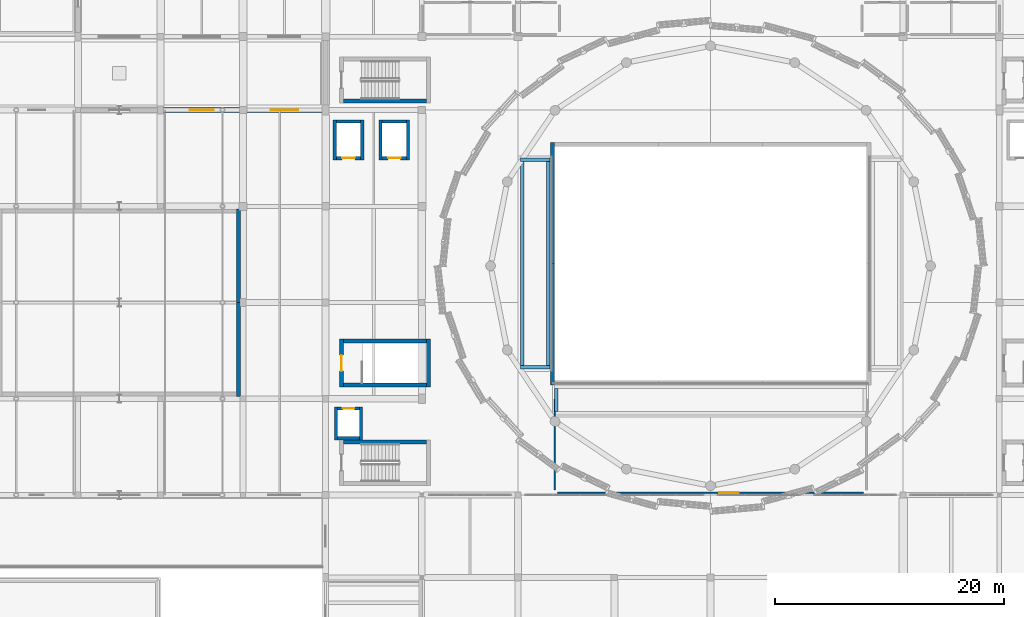
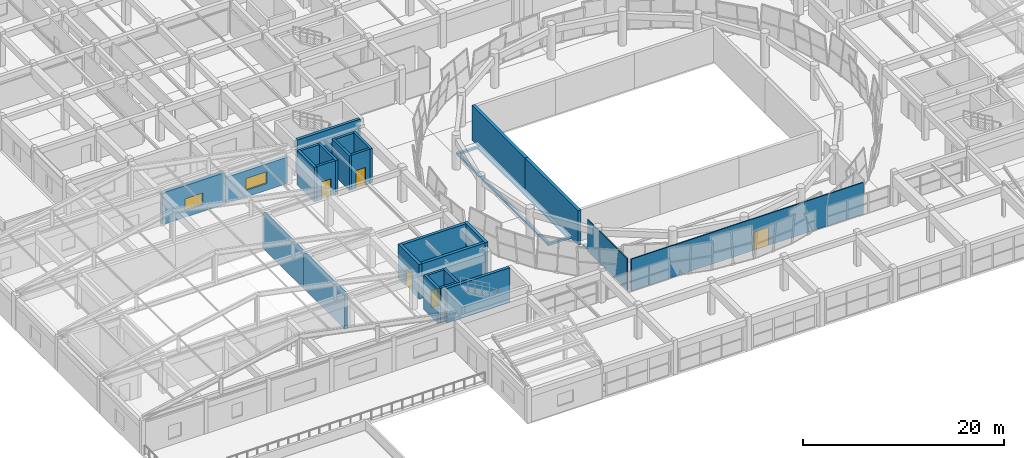
# One storey, part 55 of 74: 31 walls, 5 doors, 2 windows, 7 openings.
"""IFC4 building model written with IfcOpenShell, lengths in metres."""

import ifcopenshell
import ifcopenshell.guid

model = None  # the IFC model being written
_history = None  # IfcOwnerHistory: only IFC2X3 demands one
_inside = {}  # id of a spatial element -> (the spatial element, [elements in it])
_under = {}  # id of a project, library or spatial element -> (it, [spatial elements below it])
_declared = {}  # id of a project -> (the project, [libraries it declares])
_typed = {}  # id of a type object -> (the type object, [elements of that type])
_made_of = {}  # id of a material, layer set ... -> (it, [elements and type objects made of it])


def new_model(schema):
    """Start an empty IFC model of exactly this schema.

    Asked for "IFC4X3", IfcOpenShell would pick the latest addendum, in which some entities
    have other attributes; the version numbers below select the first issue.
    IFC2X3 requires an IfcOwnerHistory on every rooted entity: one is made here for all.
    """
    global model, _history
    if schema == "IFC4X3":
        model = ifcopenshell.file(schema_version=(4, 3, 0, 0))
    else:
        model = ifcopenshell.file(schema=schema)
    _inside.clear()
    _under.clear()
    _declared.clear()
    _typed.clear()
    _made_of.clear()
    _history = None
    if model.schema == "IFC2X3":
        org = make("IfcOrganization", Name="unknown")
        user = make(
            "IfcPersonAndOrganization",
            ThePerson=make("IfcPerson", FamilyName="unknown"),
            TheOrganization=org,
        )
        app = make(
            "IfcApplication",
            ApplicationDeveloper=org,
            Version="unknown",
            ApplicationFullName="unknown",
            ApplicationIdentifier="unknown",
        )
        _history = make(
            "IfcOwnerHistory",
            OwningUser=user,
            OwningApplication=app,
            ChangeAction="ADDED",
            CreationDate=0,
        )
    return model


def make(cls, **values):
    """One entity of the class cls with the attributes given. An attribute that is None is left unset."""
    return model.create_entity(
        cls, **{name: value for name, value in values.items() if value is not None}
    )


def rooted(cls, **values):
    """An entity with a GlobalId (a new one), such as an element, a storey or a relation."""
    return make(cls, GlobalId=ifcopenshell.guid.new(), OwnerHistory=_history, **values)


def si_unit(unit_type, name, prefix=None):
    """IfcSIUnit, for example si_unit("LENGTHUNIT", "METRE", prefix="MILLI")."""
    return make("IfcSIUnit", UnitType=unit_type, Prefix=prefix, Name=name)


def assignment(units):
    """IfcUnitAssignment: the units of a project."""
    return None if units is None else make("IfcUnitAssignment", Units=units)


def point(xyz):
    """IfcCartesianPoint."""
    return None if xyz is None else make("IfcCartesianPoint", Coordinates=xyz)


def direction(xyz):
    """IfcDirection."""
    return None if xyz is None else make("IfcDirection", DirectionRatios=xyz)


def frame(location, z_axis=None, x_axis=None):
    """IfcAxis2Placement3D, a coordinate frame: its origin and axes. An axis left out is left unset."""
    return make(
        "IfcAxis2Placement3D",
        Location=point(location),
        Axis=direction(z_axis),
        RefDirection=direction(x_axis),
    )


def frame_2d(location, x_axis=None):
    """IfcAxis2Placement2D, a coordinate frame in the plane: its origin and x axis."""
    return make(
        "IfcAxis2Placement2D", Location=point(location), RefDirection=direction(x_axis)
    )


def origin():
    """The frame at (0, 0, 0) with its axes left unset."""
    return frame((0.0, 0.0, 0.0))


def place(relative_to, where):
    """IfcLocalPlacement: puts the frame where relative to a parent placement (None: the world)."""
    return make(
        "IfcLocalPlacement", PlacementRelTo=relative_to, RelativePlacement=where
    )


def context(
    kind, dimensions, precision=None, world=None, true_north=None, identifier=None
):
    """IfcGeometricRepresentationContext, for example the 3D "Model" context."""
    return make(
        "IfcGeometricRepresentationContext",
        ContextIdentifier=identifier,
        ContextType=kind,
        CoordinateSpaceDimension=dimensions,
        Precision=precision,
        WorldCoordinateSystem=world,
        TrueNorth=true_north,
    )


def subcontext(parent, identifier, kind, view, scale=None):
    """IfcGeometricRepresentationSubContext, for example "Body" below "Model"."""
    return make(
        "IfcGeometricRepresentationSubContext",
        ContextIdentifier=identifier,
        ContextType=kind,
        ParentContext=parent,
        TargetScale=scale,
        TargetView=view,
    )


def project(units=None, contexts=None):
    """IfcProject with its units and contexts."""
    return rooted(
        "IfcProject",
        Name="project",
        RepresentationContexts=contexts,
        UnitsInContext=assignment(units),
    )


def spatial(cls, under=None, at=None, **own):
    """A site, building, storey or space (cls), placed at a placement, below another one or the project."""
    s = rooted(cls, ObjectPlacement=at, **own)
    if under is not None:
        _under.setdefault(under.id(), (under, []))[1].append(s)
    return s


def profile(cls, at=None, kind="AREA", **sizes):
    """A parametric profile (cls). Its sizes go by their IFC names, for example OverallWidth=200.0."""
    return make(cls, ProfileType=kind, Position=at, **sizes)


def rectangle(**sizes):
    """IfcRectangleProfileDef."""
    return profile("IfcRectangleProfileDef", **sizes)


def extrude(swept, where, along, depth):
    """IfcExtrudedAreaSolid: the profile swept, set in the frame where, extruded along a direction by depth."""
    return make(
        "IfcExtrudedAreaSolid",
        SweptArea=swept,
        Position=where,
        ExtrudedDirection=direction(along),
        Depth=depth,
    )


def shape(context_of_items, identifier, shape_type, items):
    """IfcShapeRepresentation: the items that make up one representation, for example the "Body"."""
    return make(
        "IfcShapeRepresentation",
        ContextOfItems=context_of_items,
        RepresentationIdentifier=identifier,
        RepresentationType=shape_type,
        Items=items,
    )


def material(Name=None, Category=None):
    """IfcMaterial."""
    return make("IfcMaterial", Name=Name, Category=Category)


def layer(
    of_material, thickness, ventilated=None, Name=None, Category=None, Priority=None
):
    """IfcMaterialLayer: one layer of a wall or slab, of a material (None: an air gap)."""
    return make(
        "IfcMaterialLayer",
        Material=of_material,
        LayerThickness=thickness,
        IsVentilated=ventilated,
        Name=Name,
        Category=Category,
        Priority=Priority,
    )


def layer_set(layers, Name=None):
    """IfcMaterialLayerSet."""
    return make("IfcMaterialLayerSet", MaterialLayers=layers, LayerSetName=Name)


def made_of(thing, what):
    """Note that an element or type object is made of a material, layer set ...; save() writes the relation."""
    if what is not None:
        _made_of.setdefault(what.id(), (what, []))[1].append(thing)
    return thing


def type_object(cls, material=None, **own):
    """A type object (cls), such as IfcWallType, which elements share."""
    return made_of(rooted(cls, **own), material)


def element(
    cls,
    number,
    at=None,
    inside=None,
    cuts=None,
    type_object=None,
    material=None,
    context=None,
    identifier="Body",
    shape_type=None,
    held_by="IfcProductDefinitionShape",
    body=None,
    shapes=None,
    **own,
):
    """One element of the class cls, such as IfcWall. Its Tag is "e" and its number.

    at: its placement. inside: the storey or other place that contains it. cuts: it is an
    opening in that element (IfcRelVoidsElement). A single representation is given by context,
    identifier, shape_type and body (its items); several are given by shapes. held_by: the class
    of the entity that holds the representations. save() writes the other relations.
    """
    e = rooted(cls, Tag="e%d" % number, ObjectPlacement=at, **own)
    if body is not None:
        shapes = [shape(context, identifier, shape_type, body)]
    if shapes is not None:
        e.Representation = make(held_by, Representations=shapes)
    if inside is not None:
        _inside.setdefault(inside.id(), (inside, []))[1].append(e)
    if cuts is not None:
        rooted(
            "IfcRelVoidsElement", RelatingBuildingElement=cuts, RelatedOpeningElement=e
        )
    if type_object is not None:
        _typed.setdefault(type_object.id(), (type_object, []))[1].append(e)
    return made_of(e, material)


def fill(opening, filler):
    """IfcRelFillsElement: the door or window that sits in an opening."""
    return rooted(
        "IfcRelFillsElement",
        RelatingOpeningElement=opening,
        RelatedBuildingElement=filler,
    )


def aggregate(whole, parts):
    """IfcRelAggregates: a whole, such as a stair, and the parts it consists of."""
    return rooted("IfcRelAggregates", RelatingObject=whole, RelatedObjects=parts)


def save(model, path):
    """Write the relations noted so far, then the file.

    IfcRelAggregates (storeys below a building ...), IfcRelContainedInSpatialStructure (elements
    in a storey), IfcRelDefinesByType, IfcRelAssociatesMaterial and IfcRelDeclares: one each for
    every whole, place, type object, material and project.
    """
    for whole, parts in _under.values():
        aggregate(whole, parts)
    for where, things in _inside.values():
        rooted(
            "IfcRelContainedInSpatialStructure",
            RelatedElements=things,
            RelatingStructure=where,
        )
    for kind, things in _typed.values():
        rooted("IfcRelDefinesByType", RelatedObjects=things, RelatingType=kind)
    for what, things in _made_of.values():
        rooted("IfcRelAssociatesMaterial", RelatedObjects=things, RelatingMaterial=what)
    for by, libraries in _declared.values():
        rooted("IfcRelDeclares", RelatingContext=by, RelatedDefinitions=libraries)
    model.write(path)


model = new_model("IFC4")

# Units and contexts
model_context = context("Model", 3, precision=1e-05, world=origin(), true_north=direction((0.0, 1.0)))
body_context = subcontext(model_context, "Body", "Model", "MODEL_VIEW")
ifc_project = project(units=[si_unit("LENGTHUNIT", "METRE"), si_unit("AREAUNIT", "SQUARE_METRE"), si_unit("VOLUMEUNIT", "CUBIC_METRE"), si_unit("PLANEANGLEUNIT", "RADIAN"), si_unit("MASSUNIT", "GRAM", prefix="KILO")], contexts=[model_context])

# Site, building, storey
site_placement = place(None, origin())
site = spatial("IfcSite", under=ifc_project, at=site_placement, CompositionType="ELEMENT")
building_placement = place(site_placement, origin())
building = spatial("IfcBuilding", under=site, at=building_placement, Name="Korsvaeld Concert Hall", CompositionType="ELEMENT")
storey_placement = place(building_placement, frame((0.0, 0.0, 9.0)))
storey = spatial("IfcBuildingStorey", under=building, at=storey_placement, Name="L02", CompositionType="ELEMENT", Elevation=9.0)

# Walls
ifc_material_1 = material(Name="Concrete C40/50", Category="concrete")
ifc_layer_1 = layer(ifc_material_1, 0.340087890625)
ifc_layer_set_1 = layer_set([ifc_layer_1], Name="Concrete C40/50")
wall_type_1 = type_object("IfcWallType", Name="WL-CORE-340", PredefinedType="SHEAR", material=ifc_layer_set_1)
for number, where, z_axis, x_axis, name in (
    (1, (51.969970703125, 77.60009765625, 0.0), (0.0, 0.0, 1.0), (1.0, 0.0, 0.0), "Core K1 shear wall L02 S"),
    (2, (59.22998046875, 47.840087890625, 0.0), (0.0, 0.0, 1.0), (-1.0, 0.0, 0.0), "Core K3 shear wall L02 N"),
    (3, (51.969970703125, 52.800048828125, 0.0), (0.0, 0.0, 1.0), (1.0, 0.0, 0.0), "Core F1 shear wall L02 S"),
):
    element("IfcWall", number, at=place(storey_placement, frame(where, z_axis=z_axis, x_axis=x_axis)), inside=storey, type_object=wall_type_1, Name=name, PredefinedType="SHEAR", context=body_context, shape_type="SweptSolid", body=[
        extrude(rectangle(XDim=7.260009765625, YDim=0.340087890625, at=frame_2d((3.6298828125, 0.0))), origin(), (0.0, 0.0, 1.0), 4.199951171875),
    ])
wall_1_placement = place(storey_placement, frame((59.39990234375, 52.6298828125, 0.0), z_axis=(0.0, 0.0, 1.0), x_axis=(0.0, 1.0, 0.0)))
element("IfcWall", 4, at=wall_1_placement, inside=storey, type_object=wall_type_1, Name="Core F1 shear wall L02 E", PredefinedType="SHEAR", context=body_context, shape_type="SweptSolid", body=[
    extrude(rectangle(XDim=4.18017578125, YDim=0.340087890625, at=frame_2d((2.090087890625, 0.0))), origin(), (0.0, 0.0, 1.0), 4.199951171875),
])
wall_2_placement = place(storey_placement, frame((59.22998046875, 56.639892578125, 0.0), z_axis=(0.0, 0.0, 1.0), x_axis=(-1.0, 0.0, 0.0)))
element("IfcWall", 5, at=wall_2_placement, inside=storey, type_object=wall_type_1, Name="Core F1 shear wall L02 N", PredefinedType="SHEAR", context=body_context, shape_type="SweptSolid", body=[
    extrude(rectangle(XDim=7.260009765625, YDim=0.340087890625, at=frame_2d((3.6298828125, 0.0))), origin(), (0.0, 0.0, 1.0), 4.199951171875),
])

# Wall, opening, door
wall_3_placement = place(storey_placement, frame((51.800048828125, 56.81005859375, 0.0), z_axis=(0.0, 0.0, 1.0), x_axis=(0.0, -1.0, 0.0)))
wall_3 = element("IfcWall", 6, at=wall_3_placement, inside=storey, type_object=wall_type_1, Name="Core F1 shear wall L02 W", PredefinedType="SHEAR", context=body_context, shape_type="SweptSolid", body=[
    extrude(rectangle(XDim=4.18017578125, YDim=0.340087890625, at=frame_2d((2.090087890625, 0.0))), origin(), (0.0, 0.0, 1.0), 4.199951171875),
])
opening_1_placement = place(wall_3_placement, frame((1.389892578125, 0.0, 0.0)))
opening_1 = element("IfcOpeningElement", 7, at=opening_1_placement, cuts=wall_3, Name="Opening FD-02", PredefinedType="OPENING", context=body_context, shape_type="SweptSolid", body=[
    extrude(rectangle(XDim=1.39990234375, YDim=2.14990234375, at=frame_2d((0.699951171875, 1.074951171875))), frame((0.0, 0.18017578125, 0.0), z_axis=(0.0, -1.0, 0.0), x_axis=(1.0, 0.0, 0.0)), (0.0, 0.0, 1.0), 0.360107421875),
])
ifc_material_2 = material(Name="Acoustic steel and oak fire door", Category="steel")
door_type_1 = type_object("IfcDoorType", Name="DR-FD-STAIR-140x215", OperationType="NOTDEFINED", PredefinedType="DOOR", material=ifc_material_2)
door_1_placement = place(opening_1_placement, origin())
door_1 = element("IfcDoor", 8, at=door_1_placement, inside=storey, type_object=door_type_1, Name="Escape stair ST-F1 fire door L02", OperationType="SINGLE_SWING_LEFT", OverallHeight=2.14990234375, OverallWidth=1.39990234375, PredefinedType="DOOR", context=body_context, shape_type="SweptSolid", body=[
    extrude(rectangle(XDim=1.39990234375, YDim=2.14990234375, at=frame_2d((0.699951171875, 1.074951171875))), frame((0.0, 0.02490234375, 0.0), z_axis=(0.0, -1.0, 0.0), x_axis=(1.0, 0.0, 0.0)), (0.0, 0.0, 1.0), 0.050048828125),
])
fill(opening_1, door_1)

# Wall, opening, window
ifc_material_3 = material(Name="Obernkirchener buff sandstone rainscreen on Concrete C35/45", Category="masonry")
ifc_layer_2 = layer(ifc_material_3, 0.389892578125)
ifc_layer_set_2 = layer_set([ifc_layer_2], Name="Obernkirchener buff sandstone rainscreen on Concrete C35/45")
wall_type_2 = type_object("IfcWallType", Name="WL-EXT-BUFF-390", PredefinedType="STANDARD", material=ifc_layer_set_2)
wall_4_placement = place(storey_placement, frame((43.199951171875, 76.800048828125, 0.0), z_axis=(0.0, 0.0, 1.0), x_axis=(1.0, 0.0, 0.0)))
wall_4 = element("IfcWall", 9, at=wall_4_placement, inside=storey, type_object=wall_type_2, Name="Exterior sandstone wall L02-228", PredefinedType="STANDARD", context=body_context, shape_type="SweptSolid", body=[
    extrude(rectangle(XDim=7.199951171875, YDim=0.389892578125, at=frame_2d((3.60009765625, 0.0))), origin(), (0.0, 0.0, 1.0), 3.18994140625),
])
opening_2_placement = place(wall_4_placement, frame((2.39990234375, 0.0, 0.800048828125)))
opening_2 = element("IfcOpeningElement", 10, at=opening_2_placement, cuts=wall_4, Name="Opening WN-10", PredefinedType="OPENING", context=body_context, shape_type="SweptSolid", body=[
    extrude(rectangle(XDim=2.39990234375, YDim=1.449951171875, at=frame_2d((1.199951171875, 0.72509765625))), frame((0.0, 0.205078125, 0.0), z_axis=(0.0, -1.0, 0.0), x_axis=(1.0, 0.0, 0.0)), (0.0, 0.0, 1.0), 0.409912109375),
])
ifc_material_4 = material(Name="Anodised bronze frame with acoustic triple glazing", Category="glass")
window_type_1 = type_object("IfcWindowType", Name="WIN-AC-240x145", PartitioningType="TRIPLE_PANEL_VERTICAL", PredefinedType="WINDOW", material=ifc_material_4)
window_1_placement = place(opening_2_placement, origin())
window_1 = element("IfcWindow", 11, at=window_1_placement, inside=storey, type_object=window_type_1, Name="Acoustic triple-glazed window L02-133", OverallHeight=1.449951171875, OverallWidth=2.39990234375, PartitioningType="TRIPLE_PANEL_VERTICAL", PredefinedType="WINDOW", context=body_context, shape_type="SweptSolid", body=[
    extrude(rectangle(XDim=2.39990234375, YDim=1.449951171875, at=frame_2d((1.199951171875, 0.72509765625))), frame((0.0, 0.030029296875, 0.0), z_axis=(0.0, -1.0, 0.0), x_axis=(1.0, 0.0, 0.0)), (0.0, 0.0, 1.0), 0.06005859375),
])
fill(opening_2, window_1)

ifc_material_5 = material(Name="Bornholm Nexo rose-red sandstone rainscreen on Concrete C35/45", Category="masonry")
ifc_layer_3 = layer(ifc_material_5, 0.419921875)
ifc_layer_set_3 = layer_set([ifc_layer_3], Name="Bornholm Nexo rose-red sandstone rainscreen on Concrete C35/45")
wall_type_3 = type_object("IfcWallType", Name="WL-EXT-NEXO-420", PredefinedType="STANDARD", material=ifc_layer_set_3)
wall_5_placement = place(storey_placement, frame((36.0, 76.800048828125, 0.0), z_axis=(0.0, 0.0, 1.0), x_axis=(1.0, 0.0, 0.0)))
wall_5 = element("IfcWall", 12, at=wall_5_placement, inside=storey, type_object=wall_type_3, Name="Exterior sandstone wall L02-227", PredefinedType="STANDARD", context=body_context, shape_type="SweptSolid", body=[
    extrude(rectangle(XDim=7.199951171875, YDim=0.419921875, at=frame_2d((3.60009765625, 0.0))), origin(), (0.0, 0.0, 1.0), 3.840087890625),
])
opening_3_placement = place(wall_5_placement, frame((2.550048828125, 0.0, 0.800048828125)))
opening_3 = element("IfcOpeningElement", 13, at=opening_3_placement, cuts=wall_5, Name="Opening WN-09", PredefinedType="OPENING", context=body_context, shape_type="SweptSolid", body=[
    extrude(rectangle(XDim=2.10009765625, YDim=1.449951171875, at=frame_2d((1.050048828125, 0.72509765625))), frame((0.0, 0.219970703125, 0.0), z_axis=(0.0, -1.0, 0.0), x_axis=(1.0, 0.0, 0.0)), (0.0, 0.0, 1.0), 0.43994140625),
])
window_type_2 = type_object("IfcWindowType", Name="WIN-AC-210x145", PartitioningType="SINGLE_PANEL", PredefinedType="WINDOW", material=ifc_material_4)
window_2_placement = place(opening_3_placement, origin())
window_2 = element("IfcWindow", 14, at=window_2_placement, inside=storey, type_object=window_type_2, Name="Acoustic triple-glazed window L02-132", OverallHeight=1.449951171875, OverallWidth=2.10009765625, PartitioningType="SINGLE_PANEL", PredefinedType="WINDOW", context=body_context, shape_type="SweptSolid", body=[
    extrude(rectangle(XDim=2.10009765625, YDim=1.449951171875, at=frame_2d((1.050048828125, 0.72509765625))), frame((0.0, 0.030029296875, 0.0), z_axis=(0.0, -1.0, 0.0), x_axis=(1.0, 0.0, 0.0)), (0.0, 0.0, 1.0), 0.06005859375),
])
fill(opening_3, window_2)

# Walls
ifc_material_6 = material(Name="Bornholm Nexo crimson sandstone on Concrete C40/50", Category="masonry")
ifc_layer_4 = layer(ifc_material_6, 0.360107421875)
ifc_layer_set_4 = layer_set([ifc_layer_4], Name="Bornholm Nexo crimson sandstone on Concrete C40/50")
wall_type_4 = type_object("IfcWallType", Name="WL-HALL-360", PredefinedType="SHEAR", material=ifc_layer_set_4)
wall_6_placement = place(storey_placement, frame((70.199951171875, 73.97998046875, 0.0), z_axis=(0.0, 0.0, 1.0), x_axis=(0.0, -1.0, 0.0)))
element("IfcWall", 15, at=wall_6_placement, inside=storey, type_object=wall_type_4, Name="Acoustic hall box wall V1H L02 W.1", PredefinedType="SHEAR", context=body_context, shape_type="SweptSolid", body=[
    extrude(rectangle(XDim=10.580078125, YDim=0.360107421875, at=frame_2d((5.2900390625, 0.0))), origin(), (0.0, 0.0, 1.0), 4.199951171875),
])
wall_7_placement = place(storey_placement, frame((70.199951171875, 63.39990234375, 0.0), z_axis=(0.0, 0.0, 1.0), x_axis=(0.0, -1.0, 0.0)))
element("IfcWall", 16, at=wall_7_placement, inside=storey, type_object=wall_type_4, Name="Acoustic hall box wall V1H L02 W.2", PredefinedType="SHEAR", context=body_context, shape_type="SweptSolid", body=[
    extrude(rectangle(XDim=10.579833984375, YDim=0.360107421875, at=frame_2d((5.2900390625, 0.0))), origin(), (0.0, 0.0, 1.0), 4.199951171875),
])
for number, where, z_axis, x_axis, name in (
    (17, (42.800048828125, 51.820068359375, 0.0), (0.0, 0.0, 1.0), (0.0, 1.0, 0.0), "Acoustic hall box wall V3H L02 E.1"),
    (18, (42.800048828125, 60.0, 0.0), (0.0, 0.0, 1.0), (0.0, 1.0, 0.0), "Acoustic hall box wall V3H L02 E.2"),
):
    element("IfcWall", number, at=place(storey_placement, frame(where, z_axis=z_axis, x_axis=x_axis)), inside=storey, type_object=wall_type_4, Name=name, PredefinedType="SHEAR", context=body_context, shape_type="SweptSolid", body=[
        extrude(rectangle(XDim=8.179931640625, YDim=0.360107421875, at=frame_2d((4.08984375, 0.0))), origin(), (0.0, 0.0, 1.0), 4.199951171875),
    ])

# Wall, opening, door
ifc_material_7 = material(Name="Insulated acoustic gypsum partition")
ifc_layer_5 = layer(ifc_material_7, 0.125)
ifc_layer_set_5 = layer_set([ifc_layer_5], Name="Insulated acoustic gypsum partition")
wall_type_5 = type_object("IfcWallType", Name="WL-PART-125", PredefinedType="PARTITIONING", material=ifc_layer_set_5)
wall_8_placement = place(storey_placement, frame((70.659912109375, 43.39990234375, 0.0), z_axis=(0.0, 0.0, 1.0), x_axis=(1.0, 0.0, 0.0)))
wall_8 = element("IfcWall", 19, at=wall_8_placement, inside=storey, type_object=wall_type_5, Name="Interior partition L02-04 S", PredefinedType="PARTITIONING", context=body_context, shape_type="SweptSolid", body=[
    extrude(rectangle(XDim=26.68017578125, YDim=0.125, at=frame_2d((13.340087890625, 0.0))), origin(), (0.0, 0.0, 1.0), 3.840087890625),
])
opening_4_placement = place(wall_8_placement, frame((14.090087890625, 0.0, 0.0)))
opening_4 = element("IfcOpeningElement", 20, at=opening_4_placement, cuts=wall_8, Name="Opening ID-06", PredefinedType="OPENING", context=body_context, shape_type="SweptSolid", body=[
    extrude(rectangle(XDim=1.699951171875, YDim=2.199951171875, at=frame_2d((0.85009765625, 1.10009765625))), frame((0.0, 0.072509765625, 0.0), z_axis=(0.0, -1.0, 0.0), x_axis=(1.0, 0.0, 0.0)), (0.0, 0.0, 1.0), 0.14501953125),
])
ifc_material_8 = material(Name="Glazed oak foyer double door")
door_type_2 = type_object("IfcDoorType", Name="DR-INT-DBL-170x220", OperationType="DOUBLE_DOOR_SINGLE_SWING", PredefinedType="DOOR", material=ifc_material_8)
door_2_placement = place(opening_4_placement, origin())
door_2 = element("IfcDoor", 21, at=door_2_placement, inside=storey, type_object=door_type_2, Name="Panorama Interval Bar door L02-04", OperationType="DOUBLE_DOOR_SINGLE_SWING", OverallHeight=2.199951171875, OverallWidth=1.699951171875, PredefinedType="DOOR", context=body_context, shape_type="SweptSolid", body=[
    extrude(rectangle(XDim=1.699951171875, YDim=2.199951171875, at=frame_2d((0.85009765625, 1.10009765625))), frame((0.0, 0.02490234375, 0.0), z_axis=(0.0, -1.0, 0.0), x_axis=(1.0, 0.0, 0.0)), (0.0, 0.0, 1.0), 0.050048828125),
])
fill(opening_4, door_2)

# Wall
wall_9_placement = place(storey_placement, frame((70.39990234375, 51.5400390625, 0.0), z_axis=(0.0, 0.0, 1.0), x_axis=(0.0, -1.0, 0.0)))
element("IfcWall", 22, at=wall_9_placement, inside=storey, type_object=wall_type_5, Name="Interior partition L02-04 W", PredefinedType="PARTITIONING", context=body_context, shape_type="SweptSolid", body=[
    extrude(rectangle(XDim=7.880126953125, YDim=0.125, at=frame_2d((3.93994140625, 0.0))), origin(), (0.0, 0.0, 1.0), 3.840087890625),
])

# Wall, opening, door
ifc_layer_6 = layer(ifc_material_1, 0.280029296875)
ifc_layer_set_6 = layer_set([ifc_layer_6], Name="Concrete C40/50")
wall_type_6 = type_object("IfcWallType", Name="WL-SHAFT-280", PredefinedType="SHEAR", material=ifc_layer_set_6)
wall_10_placement = place(storey_placement, frame((51.340087890625, 72.60009765625, 0.0), z_axis=(0.0, 0.0, 1.0), x_axis=(1.0, 0.0, 0.0)))
wall_10 = element("IfcWall", 23, at=wall_10_placement, inside=storey, type_object=wall_type_6, Name="Lift LP-01 shaft wall L02 S", PredefinedType="SHEAR", context=body_context, shape_type="SweptSolid", body=[
    extrude(rectangle(XDim=2.119873046875, YDim=0.280029296875, at=frame_2d((1.06005859375, 0.0))), origin(), (0.0, 0.0, 1.0), 4.199951171875),
])
opening_5_placement = place(wall_10_placement, frame((0.510009765625, 0.0, 0.0)))
opening_5 = element("IfcOpeningElement", 24, at=opening_5_placement, cuts=wall_10, Name="Opening LD-01", PredefinedType="OPENING", context=body_context, shape_type="SweptSolid", body=[
    extrude(rectangle(XDim=1.10009765625, YDim=2.14990234375, at=frame_2d((0.550048828125, 1.074951171875))), frame((0.0, 0.14990234375, 0.0), z_axis=(0.0, -1.0, 0.0), x_axis=(1.0, 0.0, 0.0)), (0.0, 0.0, 1.0), 0.300048828125),
])
ifc_material_9 = material(Name="Brushed bronze-stainless sliding lift landing door")
door_type_3 = type_object("IfcDoorType", Name="DR-LD-PASS-110x215", OperationType="NOTDEFINED", PredefinedType="DOOR", material=ifc_material_9)
door_3_placement = place(opening_5_placement, origin())
door_3 = element("IfcDoor", 25, at=door_3_placement, inside=storey, type_object=door_type_3, Name="Lift landing door LP-01 L02", OperationType="SLIDING_TO_LEFT", OverallHeight=2.14990234375, OverallWidth=1.10009765625, PredefinedType="DOOR", context=body_context, shape_type="SweptSolid", body=[
    extrude(rectangle(XDim=1.10009765625, YDim=2.14990234375, at=frame_2d((0.550048828125, 1.074951171875))), frame((0.0, 0.02490234375, 0.0), z_axis=(0.0, -1.0, 0.0), x_axis=(1.0, 0.0, 0.0)), (0.0, 0.0, 1.0), 0.050048828125),
])
fill(opening_5, door_3)

# Walls
wall_11_placement = place(storey_placement, frame((53.60009765625, 72.4599609375, 0.0), z_axis=(0.0, 0.0, 1.0), x_axis=(0.0, 1.0, 0.0)))
element("IfcWall", 26, at=wall_11_placement, inside=storey, type_object=wall_type_6, Name="Lift LP-01 shaft wall L02 E", PredefinedType="SHEAR", context=body_context, shape_type="SweptSolid", body=[
    extrude(rectangle(XDim=3.47998046875, YDim=0.280029296875, at=frame_2d((1.739990234375, 0.0))), origin(), (0.0, 0.0, 1.0), 4.199951171875),
])
wall_12_placement = place(storey_placement, frame((53.4599609375, 75.800048828125, 0.0), z_axis=(0.0, 0.0, 1.0), x_axis=(-1.0, 0.0, 0.0)))
element("IfcWall", 27, at=wall_12_placement, inside=storey, type_object=wall_type_6, Name="Lift LP-01 shaft wall L02 N", PredefinedType="SHEAR", context=body_context, shape_type="SweptSolid", body=[
    extrude(rectangle(XDim=2.119873046875, YDim=0.280029296875, at=frame_2d((1.06005859375, 0.0))), origin(), (0.0, 0.0, 1.0), 4.199951171875),
])
wall_13_placement = place(storey_placement, frame((51.199951171875, 75.93994140625, 0.0), z_axis=(0.0, 0.0, 1.0), x_axis=(0.0, -1.0, 0.0)))
element("IfcWall", 28, at=wall_13_placement, inside=storey, type_object=wall_type_6, Name="Lift LP-01 shaft wall L02 W", PredefinedType="SHEAR", context=body_context, shape_type="SweptSolid", body=[
    extrude(rectangle(XDim=3.47998046875, YDim=0.280029296875, at=frame_2d((1.739990234375, 0.0))), origin(), (0.0, 0.0, 1.0), 4.199951171875),
])

# Wall, opening, door
wall_14_placement = place(storey_placement, frame((55.340087890625, 72.60009765625, 0.0), z_axis=(0.0, 0.0, 1.0), x_axis=(1.0, 0.0, 0.0)))
wall_14 = element("IfcWall", 29, at=wall_14_placement, inside=storey, type_object=wall_type_6, Name="Lift LP-02 shaft wall L02 S", PredefinedType="SHEAR", context=body_context, shape_type="SweptSolid", body=[
    extrude(rectangle(XDim=2.119873046875, YDim=0.280029296875, at=frame_2d((1.06005859375, 0.0))), origin(), (0.0, 0.0, 1.0), 4.199951171875),
])
opening_6_placement = place(wall_14_placement, frame((0.510009765625, 0.0, 0.0)))
opening_6 = element("IfcOpeningElement", 30, at=opening_6_placement, cuts=wall_14, Name="Opening LD-01", PredefinedType="OPENING", context=body_context, shape_type="SweptSolid", body=[
    extrude(rectangle(XDim=1.10009765625, YDim=2.14990234375, at=frame_2d((0.550048828125, 1.074951171875))), frame((0.0, 0.14990234375, 0.0), z_axis=(0.0, -1.0, 0.0), x_axis=(1.0, 0.0, 0.0)), (0.0, 0.0, 1.0), 0.300048828125),
])
door_4_placement = place(opening_6_placement, origin())
door_4 = element("IfcDoor", 31, at=door_4_placement, inside=storey, type_object=door_type_3, Name="Lift landing door LP-02 L02", OperationType="SLIDING_TO_RIGHT", OverallHeight=2.14990234375, OverallWidth=1.10009765625, PredefinedType="DOOR", context=body_context, shape_type="SweptSolid", body=[
    extrude(rectangle(XDim=1.10009765625, YDim=2.14990234375, at=frame_2d((0.550048828125, 1.074951171875))), frame((0.0, 0.02490234375, 0.0), z_axis=(0.0, -1.0, 0.0), x_axis=(1.0, 0.0, 0.0)), (0.0, 0.0, 1.0), 0.050048828125),
])
fill(opening_6, door_4)

# Walls
wall_15_placement = place(storey_placement, frame((57.60009765625, 72.4599609375, 0.0), z_axis=(0.0, 0.0, 1.0), x_axis=(0.0, 1.0, 0.0)))
element("IfcWall", 32, at=wall_15_placement, inside=storey, type_object=wall_type_6, Name="Lift LP-02 shaft wall L02 E", PredefinedType="SHEAR", context=body_context, shape_type="SweptSolid", body=[
    extrude(rectangle(XDim=3.47998046875, YDim=0.280029296875, at=frame_2d((1.739990234375, 0.0))), origin(), (0.0, 0.0, 1.0), 4.199951171875),
])
wall_16_placement = place(storey_placement, frame((57.4599609375, 75.800048828125, 0.0), z_axis=(0.0, 0.0, 1.0), x_axis=(-1.0, 0.0, 0.0)))
element("IfcWall", 33, at=wall_16_placement, inside=storey, type_object=wall_type_6, Name="Lift LP-02 shaft wall L02 N", PredefinedType="SHEAR", context=body_context, shape_type="SweptSolid", body=[
    extrude(rectangle(XDim=2.119873046875, YDim=0.280029296875, at=frame_2d((1.06005859375, 0.0))), origin(), (0.0, 0.0, 1.0), 4.199951171875),
])
wall_17_placement = place(storey_placement, frame((55.199951171875, 75.93994140625, 0.0), z_axis=(0.0, 0.0, 1.0), x_axis=(0.0, -1.0, 0.0)))
element("IfcWall", 34, at=wall_17_placement, inside=storey, type_object=wall_type_6, Name="Lift LP-02 shaft wall L02 W", PredefinedType="SHEAR", context=body_context, shape_type="SweptSolid", body=[
    extrude(rectangle(XDim=3.47998046875, YDim=0.280029296875, at=frame_2d((1.739990234375, 0.0))), origin(), (0.0, 0.0, 1.0), 4.199951171875),
])
wall_18_placement = place(storey_placement, frame((51.43994140625, 48.14990234375, 0.0), z_axis=(0.0, 0.0, 1.0), x_axis=(1.0, 0.0, 0.0)))
element("IfcWall", 35, at=wall_18_placement, inside=storey, type_object=wall_type_6, Name="Lift LP-05 shaft wall L02 S", PredefinedType="SHEAR", context=body_context, shape_type="SweptSolid", body=[
    extrude(rectangle(XDim=1.920166015625, YDim=0.280029296875, at=frame_2d((0.9599609375, 0.0))), origin(), (0.0, 0.0, 1.0), 4.199951171875),
])
wall_19_placement = place(storey_placement, frame((53.5, 48.010009765625, 0.0), z_axis=(0.0, 0.0, 1.0), x_axis=(0.0, 1.0, 0.0)))
element("IfcWall", 36, at=wall_19_placement, inside=storey, type_object=wall_type_6, Name="Lift LP-05 shaft wall L02 E", PredefinedType="SHEAR", context=body_context, shape_type="SweptSolid", body=[
    extrude(rectangle(XDim=2.8798828125, YDim=0.280029296875, at=frame_2d((1.43994140625, 0.0))), origin(), (0.0, 0.0, 1.0), 4.199951171875),
])

# Wall, opening, door
wall_20_placement = place(storey_placement, frame((53.360107421875, 50.75, 0.0), z_axis=(0.0, 0.0, 1.0), x_axis=(-1.0, 0.0, 0.0)))
wall_20 = element("IfcWall", 37, at=wall_20_placement, inside=storey, type_object=wall_type_6, Name="Lift LP-05 shaft wall L02 N", PredefinedType="SHEAR", context=body_context, shape_type="SweptSolid", body=[
    extrude(rectangle(XDim=1.920166015625, YDim=0.280029296875, at=frame_2d((0.9599609375, 0.0))), origin(), (0.0, 0.0, 1.0), 4.199951171875),
])
opening_7_placement = place(wall_20_placement, frame((0.4599609375, 0.0, 0.0)))
opening_7 = element("IfcOpeningElement", 38, at=opening_7_placement, cuts=wall_20, Name="Opening LD-02", PredefinedType="OPENING", context=body_context, shape_type="SweptSolid", body=[
    extrude(rectangle(XDim=1.0, YDim=2.14990234375, at=frame_2d((0.5, 1.074951171875))), frame((0.0, 0.14990234375, 0.0), z_axis=(0.0, -1.0, 0.0), x_axis=(1.0, 0.0, 0.0)), (0.0, 0.0, 1.0), 0.300048828125),
])
door_type_4 = type_object("IfcDoorType", Name="DR-LD-PASS-100x215", OperationType="NOTDEFINED", PredefinedType="DOOR", material=ifc_material_9)
door_5_placement = place(opening_7_placement, origin())
door_5 = element("IfcDoor", 39, at=door_5_placement, inside=storey, type_object=door_type_4, Name="Lift landing door LP-05 L02", OperationType="SLIDING_TO_LEFT", OverallHeight=2.14990234375, OverallWidth=1.0, PredefinedType="DOOR", context=body_context, shape_type="SweptSolid", body=[
    extrude(rectangle(XDim=1.0, YDim=2.14990234375, at=frame_2d((0.5, 1.074951171875))), frame((0.0, 0.02490234375, 0.0), z_axis=(0.0, -1.0, 0.0), x_axis=(1.0, 0.0, 0.0)), (0.0, 0.0, 1.0), 0.050048828125),
])
fill(opening_7, door_5)

# Walls
wall_21_placement = place(storey_placement, frame((51.300048828125, 50.889892578125, 0.0), z_axis=(0.0, 0.0, 1.0), x_axis=(0.0, -1.0, 0.0)))
element("IfcWall", 40, at=wall_21_placement, inside=storey, type_object=wall_type_6, Name="Lift LP-05 shaft wall L02 W", PredefinedType="SHEAR", context=body_context, shape_type="SweptSolid", body=[
    extrude(rectangle(XDim=2.8798828125, YDim=0.280029296875, at=frame_2d((1.43994140625, 0.0))), origin(), (0.0, 0.0, 1.0), 4.199951171875),
])
ifc_layer_7 = layer(ifc_material_1, 0.300048828125)
ifc_layer_set_7 = layer_set([ifc_layer_7], Name="Concrete C40/50")
wall_type_7 = type_object("IfcWallType", Name="WL-TIER-300", PredefinedType="SHEAR", material=ifc_layer_set_7)
for number, where, z_axis, x_axis, name in (
    (41, (67.39990234375, 54.35009765625, 0.0), (0.0, 0.0, 1.0), (1.0, 0.0, 0.0), "Seating tier front riser wall V1-CIRC2-W"),
    (42, (67.39990234375, 72.449951171875, 0.0), (0.0, 0.0, 1.0), (1.0, 0.0, 0.0), "Seating tier back riser wall V1-CIRC2-W"),
):
    element("IfcWall", number, at=place(storey_placement, frame(where, z_axis=z_axis, x_axis=x_axis)), inside=storey, type_object=wall_type_7, Name=name, PredefinedType="SHEAR", context=body_context, shape_type="SweptSolid", body=[
        extrude(rectangle(XDim=2.60009765625, YDim=0.300048828125, at=frame_2d((1.300048828125, 0.0))), origin(), (0.0, 0.0, 1.0), 0.25),
    ])
for number, where, z_axis, x_axis, name in (
    (43, (67.550048828125, 54.5, 0.0), (0.0, 0.0, 1.0), (0.0, 1.0, 0.0), "Seating tier west flank wall V1-CIRC2-W"),
    (44, (69.85009765625, 54.5, 0.0), (0.0, 0.0, 1.0), (0.0, 1.0, 0.0), "Seating tier east flank wall V1-CIRC2-W"),
):
    element("IfcWall", number, at=place(storey_placement, frame(where, z_axis=z_axis, x_axis=x_axis)), inside=storey, type_object=wall_type_7, Name=name, PredefinedType="SHEAR", context=body_context, shape_type="SweptSolid", body=[
        extrude(rectangle(XDim=17.800048828125, YDim=0.300048828125, at=frame_2d((8.89990234375, 0.0))), origin(), (0.0, 0.0, 1.0), 0.25),
    ])
wall_22_placement = place(storey_placement, frame((70.550048828125, 50.5, 0.0), z_axis=(0.0, 0.0, 1.0), x_axis=(0.0, 1.0, 0.0)))
element("IfcWall", 45, at=wall_22_placement, inside=storey, type_object=wall_type_7, Name="Seating tier west flank wall V1-CIRC2-S", PredefinedType="SHEAR", context=body_context, shape_type="SweptSolid", body=[
    extrude(rectangle(XDim=2.0, YDim=0.300048828125, at=frame_2d((1.0, 0.0))), origin(), (0.0, 0.0, 1.0), 0.25),
])

save(model, "model.ifc")
